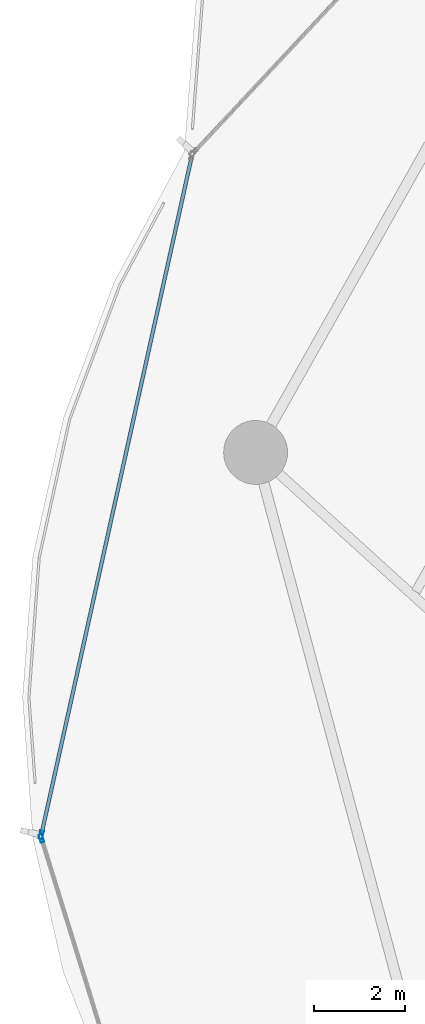
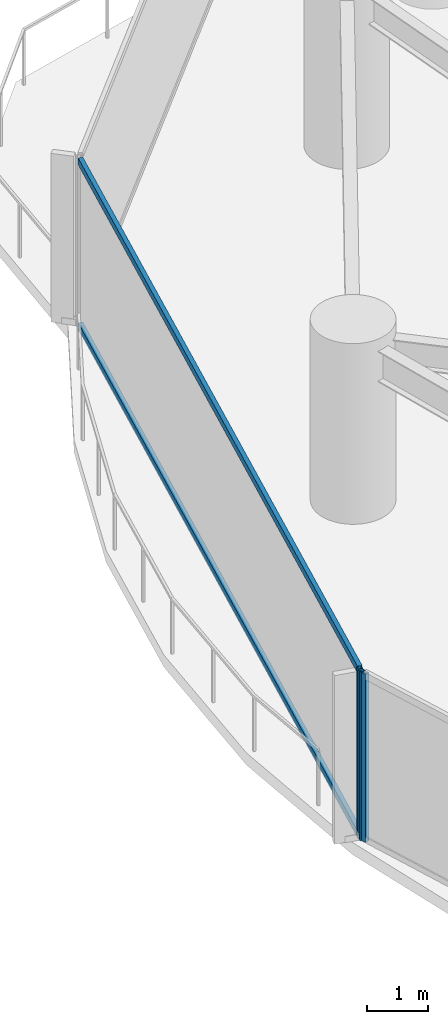
# One storey, part 8 of 33: 4 members, 2 elements without a shape of their own.
"""IFC4 building model written with IfcOpenShell, lengths in metres."""

from ifc_helpers import new_model, si_unit, direction, frame, origin, origin_2d, place, context, subcontext, project, spatial, hollow_rectangle, extrude, material, layer, layer_set, material_profile, profile_set, type_object, element, aggregate, save


model = new_model("IFC4")

# Units and contexts
model_context = context("Model", 3, precision=1e-05, world=origin(), true_north=direction((0.0, 1.0)))
body_context = subcontext(model_context, "Body", "Model", "MODEL_VIEW")
ifc_project = project(units=[si_unit("LENGTHUNIT", "METRE"), si_unit("AREAUNIT", "SQUARE_METRE"), si_unit("VOLUMEUNIT", "CUBIC_METRE"), si_unit("PLANEANGLEUNIT", "RADIAN"), si_unit("MASSUNIT", "GRAM", prefix="KILO")], contexts=[model_context])

# Site, building, storey
site_placement = place(None, origin())
site = spatial("IfcSite", under=ifc_project, at=site_placement, CompositionType="ELEMENT")
building_placement = place(site_placement, origin())
building = spatial("IfcBuilding", under=site, at=building_placement, Name="Kazevale Care Tower and Concert Hall", CompositionType="ELEMENT")
storey_placement = place(building_placement, frame((0.0, 0.0, 27.60009765625)))
storey = spatial("IfcBuildingStorey", under=building, at=storey_placement, Name="L06", CompositionType="ELEMENT", Elevation=27.60009765625)

# Curtain wall, member
ifc_material_1 = material(Name="Aluminium 6063-T6 and Low-E Glass", Category="aluminium")
ifc_layer = layer(ifc_material_1, 0.179931640625)
ifc_layer_set = layer_set([ifc_layer], Name="Aluminium 6063-T6 and Low-E Glass")
curtain_wall_type = type_object("IfcCurtainWallType", Name="Waist & Upper Residential Curtain Wall CW-4", PredefinedType="NOTDEFINED", material=ifc_layer_set)
curtain_wall_1_placement = place(storey_placement, origin())
curtain_wall_1 = element("IfcCurtainWall", 1, at=curtain_wall_1_placement, inside=storey, type_object=curtain_wall_type, Name="cw:L06:f12", PredefinedType="NOTDEFINED")
ifc_material_2 = material(Name="Aluminium 6063-T6", Category="aluminium")
ifc_material_profile_1 = material_profile(ifc_material_2, hollow_rectangle(XDim=0.080078125, YDim=0.179931640625, WallThickness=0.0048828125, at=origin_2d()), Name="ALU80x180x5")
ifc_profile_set_1 = profile_set([ifc_material_profile_1], Name="Aluminium 6063-T6")
member_type_1 = type_object("IfcMemberType", Name="CW-4 Mullion ALU80x180x5", PredefinedType="MULLION", material=ifc_profile_set_1)
member_1_placement = place(storey_placement, frame((9.61572265625, 34.919677734375, 0.0), z_axis=(0.0, 0.0, 1.0), x_axis=(-0.955157326175, -0.296098771112, 0.0)))
member_1 = element("IfcMember", 2, at=member_1_placement, type_object=member_type_1, Name="CW-4 mullion 2", PredefinedType="MULLION", context=body_context, shape_type="SweptSolid", body=[
    extrude(hollow_rectangle(XDim=0.080078125, YDim=0.179931640625, WallThickness=0.0048828125, at=origin_2d()), origin(), (0.0, 0.0, 1.0), 3.35986328125),
])
aggregate(curtain_wall_1, [member_1])

# Curtain wall, members
curtain_wall_2_placement = place(storey_placement, origin())
curtain_wall_2 = element("IfcCurtainWall", 3, at=curtain_wall_2_placement, inside=storey, type_object=curtain_wall_type, Name="cw:L06:f13", PredefinedType="NOTDEFINED")
member_2_placement = place(storey_placement, frame((9.612548828125, 34.9970703125, 0.0), z_axis=(0.0, 0.0, 1.0), x_axis=(-0.976291328475, 0.216460716862, 0.0)))
member_2 = element("IfcMember", 4, at=member_2_placement, type_object=member_type_1, Name="CW-4 mullion 1", PredefinedType="MULLION", context=body_context, shape_type="SweptSolid", body=[
    extrude(hollow_rectangle(XDim=0.080078125, YDim=0.179931640625, WallThickness=0.0048828125, at=origin_2d()), origin(), (0.0, 0.0, 1.0), 3.35986328125),
])
ifc_material_profile_2 = material_profile(ifc_material_2, hollow_rectangle(XDim=0.080078125, YDim=0.139892578125, WallThickness=0.00390625, at=origin_2d()), Name="ALU80x140x4")
ifc_profile_set_2 = profile_set([ifc_material_profile_2], Name="Aluminium 6063-T6")
member_type_2 = type_object("IfcMemberType", Name="CW-4 Transom ALU80x140x4", PredefinedType="USERDEFINED", material=ifc_profile_set_2)
member_3_placement = place(storey_placement, frame((9.621337890625, 35.0361328125, 0.039794921875), z_axis=(0.216465185417, 0.976290337708, 0.0), x_axis=(-0.976290337708, 0.216465185417, 0.0)))
member_3 = element("IfcMember", 5, at=member_3_placement, type_object=member_type_2, Name="CW-4 transom 1.1", ObjectType="TRANSOM", PredefinedType="USERDEFINED", context=body_context, shape_type="SweptSolid", body=[
    extrude(hollow_rectangle(XDim=0.080078125, YDim=0.139892578125, WallThickness=0.00390625, at=origin_2d()), origin(), (0.0, 0.0, 1.0), 15.16845703125),
])
member_4_placement = place(storey_placement, frame((9.621337890625, 35.0361328125, 3.31982421875), z_axis=(0.216465185417, 0.976290337708, 0.0), x_axis=(-0.976290337708, 0.216465185417, 0.0)))
member_4 = element("IfcMember", 6, at=member_4_placement, type_object=member_type_2, Name="CW-4 transom 1.2", ObjectType="TRANSOM", PredefinedType="USERDEFINED", context=body_context, shape_type="SweptSolid", body=[
    extrude(hollow_rectangle(XDim=0.080078125, YDim=0.139892578125, WallThickness=0.00390625, at=origin_2d()), origin(), (0.0, 0.0, 1.0), 15.16845703125),
])
aggregate(curtain_wall_2, [member_2, member_3, member_4])

save(model, "model.ifc")
